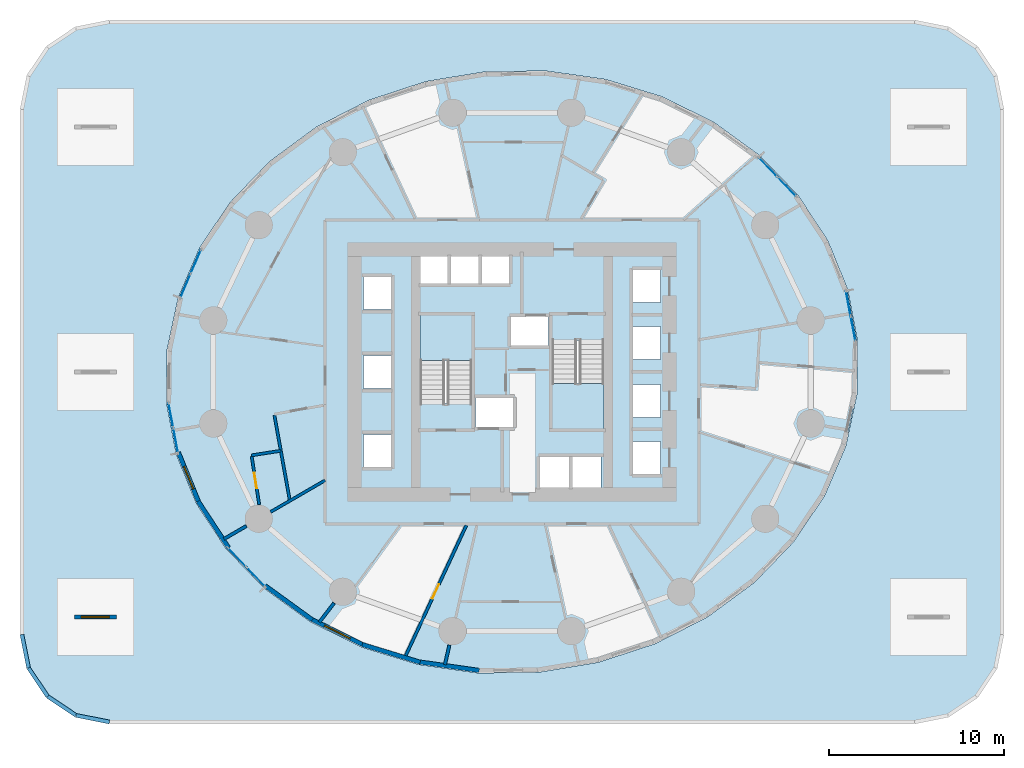
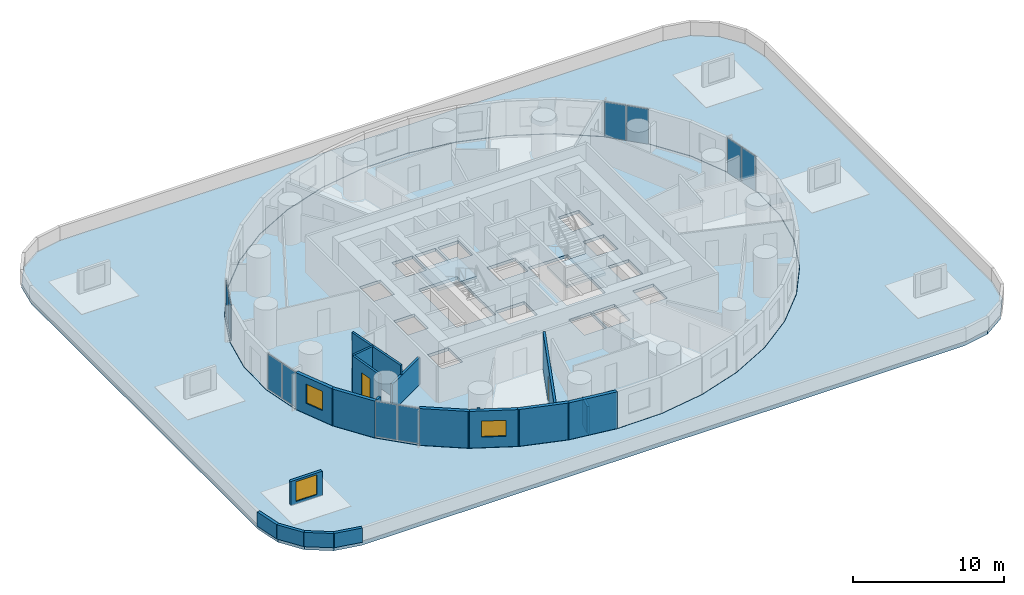
# One storey, part 5 of 12: 19 walls, 10 plates, 4 slabs, 3 windows, 2 doors, 5 openings, 7 elements without a shape of their own.
"""IFC4 building model written with IfcOpenShell, lengths in metres."""

from ifc_helpers import new_model, si_unit, direction, frame, frame_2d, origin, origin_2d, place, context, subcontext, project, spatial, polyline, rectangle, outline, extrude, material, layer, layer_set, type_object, element, fill, aggregate, save


model = new_model("IFC4")

# Units and contexts
model_context = context("Model", 3, precision=1e-05, world=origin(), true_north=direction((0.0, 1.0)))
body_context = subcontext(model_context, "Body", "Model", "MODEL_VIEW")
ifc_project = project(units=[si_unit("LENGTHUNIT", "METRE"), si_unit("AREAUNIT", "SQUARE_METRE"), si_unit("VOLUMEUNIT", "CUBIC_METRE"), si_unit("PLANEANGLEUNIT", "RADIAN"), si_unit("MASSUNIT", "GRAM", prefix="KILO")], contexts=[model_context])

# Site, building, storey
site_placement = place(None, origin())
site = spatial("IfcSite", under=ifc_project, at=site_placement, CompositionType="ELEMENT")
building_placement = place(site_placement, origin())
building = spatial("IfcBuilding", under=site, at=building_placement, Name="Veldorim Arch Residences", CompositionType="ELEMENT")
storey_placement = place(building_placement, frame((0.0, 0.0, 24.800048828125)))
storey = spatial("IfcBuildingStorey", under=building, at=storey_placement, Name="L06", CompositionType="ELEMENT", Elevation=24.800048828125)

# Slabs
ifc_material_1 = material(Name="Concrete C50/60", Category="concrete")
ifc_layer_1 = layer(ifc_material_1, 0.449951171875, Name="L05 Podium Transfer Deck Slab 450")
ifc_layer_set_1 = layer_set([ifc_layer_1], Name="Concrete C50/60")
slab_type_1 = type_object("IfcSlabType", Name="L05 Podium Transfer Deck Slab 450", PredefinedType="FLOOR", material=ifc_layer_set_1)
slab_1_placement = place(storey_placement, frame((0.0, 0.0, -0.239990234375)))
element("IfcSlab", 1, at=slab_1_placement, inside=storey, type_object=slab_type_1, Name="L06 tower structural floor slab", PredefinedType="FLOOR", context=body_context, shape_type="SweptSolid", body=[
    extrude(outline(polyline([(51.723388671875, 25.739501953125), (51.161376953125, 28.688232421875), (50.01708984375, 31.49462890625), (48.325439453125, 34.0732421875), (46.1376953125, 36.345703125), (43.5205078125, 38.2431640625), (40.552978515625, 39.707763671875), (37.325927734375, 40.695068359375), (33.93701171875, 41.17529296875), (30.489013671875, 41.133544921875), (27.0869140625, 40.571044921875), (23.834228515625, 39.50537109375), (20.82958984375, 37.96826171875), (18.16455078125, 36.0068359375), (15.919677734375, 33.6806640625), (14.16357421875, 31.060302734375), (12.94921875, 28.225341796875), (12.313720703125, 25.26220703125), (12.276611328125, 22.260498046875), (12.838623046875, 19.311767578125), (13.98291015625, 16.50537109375), (15.674560546875, 13.9267578125), (17.8623046875, 11.654296875), (20.4794921875, 9.7568359375), (23.447021484375, 8.292236328125), (26.674072265625, 7.304931640625), (30.06298828125, 6.82470703125), (33.510986328125, 6.866455078125), (36.9130859375, 7.428955078125), (40.165771484375, 8.49462890625), (43.17041015625, 10.03173828125), (45.83544921875, 11.9931640625), (48.080322265625, 14.3193359375), (49.83642578125, 16.939697265625), (51.05078125, 19.774658203125), (51.686279296875, 22.73779296875), (51.723388671875, 25.739501953125)]), holes=[polyline([(23.510009765625, 20.43994140625), (25.090087890625, 20.43994140625), (25.090087890625, 18.56005859375), (23.510009765625, 18.56005859375), (23.510009765625, 20.43994140625)]), polyline([(29.909912109375, 22.544921875), (32.090087890625, 22.544921875), (32.090087890625, 20.81494140625), (29.909912109375, 20.81494140625), (29.909912109375, 22.544921875)]), polyline([(23.510009765625, 24.93994140625), (25.090087890625, 24.93994140625), (25.090087890625, 23.06005859375), (23.510009765625, 23.06005859375), (23.510009765625, 24.93994140625)]), polyline([(26.75, 27.25), (29.7099609375, 27.25), (29.7099609375, 22.195068359375), (26.75, 22.195068359375), (26.75, 27.25)]), polyline([(23.510009765625, 29.43994140625), (25.090087890625, 29.43994140625), (25.090087890625, 27.56005859375), (23.510009765625, 27.56005859375), (23.510009765625, 29.43994140625)]), polyline([(26.760009765625, 30.7900390625), (28.340087890625, 30.7900390625), (28.340087890625, 28.909912109375), (26.760009765625, 28.909912109375), (26.760009765625, 30.7900390625)]), polyline([(28.510009765625, 30.7900390625), (30.090087890625, 30.7900390625), (30.090087890625, 28.909912109375), (28.510009765625, 28.909912109375), (28.510009765625, 30.7900390625)]), polyline([(30.260009765625, 30.7900390625), (31.840087890625, 30.7900390625), (31.840087890625, 28.909912109375), (30.260009765625, 28.909912109375), (30.260009765625, 30.7900390625)]), polyline([(33.610107421875, 19.2900390625), (35.2900390625, 19.2900390625), (35.2900390625, 17.2099609375), (33.610107421875, 17.2099609375), (33.610107421875, 19.2900390625)]), polyline([(35.409912109375, 19.2900390625), (37.090087890625, 19.2900390625), (37.090087890625, 17.2099609375), (35.409912109375, 17.2099609375), (35.409912109375, 19.2900390625)]), polyline([(38.909912109375, 20.0400390625), (40.489990234375, 20.0400390625), (40.489990234375, 18.159912109375), (38.909912109375, 18.159912109375), (38.909912109375, 20.0400390625)]), polyline([(38.909912109375, 23.2900390625), (40.489990234375, 23.2900390625), (40.489990234375, 21.409912109375), (38.909912109375, 21.409912109375), (38.909912109375, 23.2900390625)]), polyline([(34.2900390625, 25.804931640625), (37.25, 25.804931640625), (37.25, 20.75), (34.2900390625, 20.75), (34.2900390625, 25.804931640625)]), polyline([(38.909912109375, 26.590087890625), (40.489990234375, 26.590087890625), (40.489990234375, 24.7099609375), (38.909912109375, 24.7099609375), (38.909912109375, 26.590087890625)]), polyline([(31.909912109375, 27.18505859375), (34.090087890625, 27.18505859375), (34.090087890625, 25.455078125), (31.909912109375, 25.455078125), (31.909912109375, 27.18505859375)]), polyline([(38.909912109375, 29.840087890625), (40.489990234375, 29.840087890625), (40.489990234375, 27.9599609375), (38.909912109375, 27.9599609375), (38.909912109375, 29.840087890625)])]), origin(), (0.0, 0.0, 1.0), 0.239990234375),
])
ifc_material_2 = material(Name="Concrete C40/50", Category="concrete")
ifc_layer_2 = layer(ifc_material_2, 0.320068359375, Name="Podium & Drop-Off Canopy Roof Slab 320")
ifc_layer_set_2 = layer_set([ifc_layer_2], Name="Concrete C40/50")
slab_type_2 = type_object("IfcSlabType", Name="Podium & Drop-Off Canopy Roof Slab 320", PredefinedType="ROOF", material=ifc_layer_set_2)
slab_2_placement = place(storey_placement, frame((0.0, 0.0, -0.320068359375)))
element("IfcSlab", 2, at=slab_2_placement, inside=storey, type_object=slab_type_2, Name="L06 podium roof wellness terrace slab 1", PredefinedType="ROOF", context=body_context, shape_type="SweptSolid", body=[
    extrude(outline(polyline([(9.0, 4.0), (7.086669921875, 4.380615234375), (5.464599609375, 5.464599609375), (4.380615234375, 7.086669921875), (4.0, 9.0), (4.0, 39.0), (4.380615234375, 40.913330078125), (5.464599609375, 42.535400390625), (7.086669921875, 43.619384765625), (9.0, 44.0), (55.0, 44.0), (56.913330078125, 43.619384765625), (58.535400390625, 42.535400390625), (59.619384765625, 40.913330078125), (60.0, 39.0), (60.0, 9.0), (59.619384765625, 7.086669921875), (58.535400390625, 5.464599609375), (56.913330078125, 4.380615234375), (55.0, 4.0), (9.0, 4.0)]), holes=[polyline([(51.1806640625, 28.69384765625), (50.034912109375, 31.50390625), (48.34130859375, 34.085693359375), (46.15087890625, 36.36083984375), (43.531005859375, 38.26025390625), (40.560546875, 39.7265625), (37.330322265625, 40.714599609375), (33.938232421875, 41.1953125), (30.4873046875, 41.153564453125), (27.082275390625, 40.590576171875), (23.82666015625, 39.523681640625), (20.819091796875, 37.9853515625), (18.1513671875, 36.02197265625), (15.904052734375, 33.693359375), (14.145751953125, 31.06982421875), (12.93017578125, 28.2314453125), (12.293701171875, 25.264404296875), (12.256591796875, 22.2587890625), (12.8193359375, 19.30615234375), (13.965087890625, 16.49609375), (15.65869140625, 13.914306640625), (17.84912109375, 11.63916015625), (20.468994140625, 9.73974609375), (23.439453125, 8.2734375), (26.669677734375, 7.285400390625), (30.061767578125, 6.8046875), (33.5126953125, 6.846435546875), (36.917724609375, 7.409423828125), (40.17333984375, 8.476318359375), (43.180908203125, 10.0146484375), (45.8486328125, 11.97802734375), (48.095947265625, 14.306640625), (49.854248046875, 16.93017578125), (51.06982421875, 19.7685546875), (51.706298828125, 22.735595703125), (51.743408203125, 25.7412109375), (51.1806640625, 28.69384765625)])]), origin(), (0.0, 0.0, 1.0), 0.320068359375),
])

# Stair, slab
ifc_material_3 = material(Name="Concrete C40/50", Category="concrete")
stair_type = type_object("IfcStairType", Name="Reinforced Concrete Dogleg Exit Staircase", PredefinedType="HALF_TURN_STAIR", material=ifc_material_3)
stair_1_placement = place(storey_placement, origin())
stair_1 = element("IfcStair", 3, at=stair_1_placement, inside=storey, type_object=stair_type, Name="L06 Exit Staircase ST-1", PredefinedType="HALF_TURN_STAIR")
ifc_material_4 = material(Name="Concrete C40/50", Category="concrete")
ifc_layer_3 = layer(ifc_material_4, 0.199951171875, Name="Reinforced Concrete Stair Landing 200")
ifc_layer_set_3 = layer_set([ifc_layer_3], Name="Concrete C40/50")
slab_type_3 = type_object("IfcSlabType", Name="Reinforced Concrete Stair Landing 200", PredefinedType="LANDING", material=ifc_layer_set_3)
slab_3_placement = place(storey_placement, frame((0.0, 0.0, 1.39990234375)))
slab_3 = element("IfcSlab", 4, at=slab_3_placement, type_object=slab_type_3, Name="ST-1 landing 1", PredefinedType="LANDING", context=body_context, shape_type="SweptSolid", body=[
    extrude(outline(polyline([(29.7099609375, 24.669921875), (29.7099609375, 27.25), (26.75, 27.25), (26.75, 24.669921875), (29.7099609375, 24.669921875)])), origin(), (0.0, 0.0, 1.0), 0.199951171875),
])
aggregate(stair_1, [slab_3])

stair_2_placement = place(storey_placement, origin())
stair_2 = element("IfcStair", 5, at=stair_2_placement, inside=storey, type_object=stair_type, Name="L06 Exit Staircase ST-2", PredefinedType="HALF_TURN_STAIR")
slab_4_placement = place(storey_placement, frame((0.0, 0.0, 1.39990234375)))
slab_4 = element("IfcSlab", 6, at=slab_4_placement, type_object=slab_type_3, Name="ST-2 landing 1", PredefinedType="LANDING", context=body_context, shape_type="SweptSolid", body=[
    extrude(outline(polyline([(34.2900390625, 23.330078125), (34.2900390625, 20.75), (37.25, 20.75), (37.25, 23.330078125), (34.2900390625, 23.330078125)])), origin(), (0.0, 0.0, 1.0), 0.199951171875),
])
aggregate(stair_2, [slab_4])

# Curtain wall, plates
ifc_material_5 = material(Name="Aluminium", Category="aluminium")
curtain_wall_type = type_object("IfcCurtainWallType", Name="Zone 1 Acoustic Low-E Unitised Curtain Wall", PredefinedType="NOTDEFINED", material=ifc_material_5)
curtain_wall_1_placement = place(storey_placement, origin())
curtain_wall_1 = element("IfcCurtainWall", 7, at=curtain_wall_1_placement, inside=storey, type_object=curtain_wall_type, Name="L06 unitised curtain wall bay 01", PredefinedType="NOTDEFINED")
ifc_material_6 = material(Name="Laminated Low-E Glass", Category="glass")
ifc_layer_4 = layer(ifc_material_6, 0.02587890625, Name="Zone 1 Acoustic Low-E Unitised Curtain Wall Glazing Panel 26")
ifc_layer_set_4 = layer_set([ifc_layer_4], Name="Laminated Low-E Glass")
plate_type = type_object("IfcPlateType", Name="Zone 1 Acoustic Low-E Unitised Curtain Wall Glazing Panel 26", PredefinedType="CURTAIN_PANEL", material=ifc_layer_set_4)
plate_1_placement = place(storey_placement, frame((51.216552734375, 27.918212890625, 0.06494140625), z_axis=(0.0, 0.0, 1.0), x_axis=(0.187222325819, -0.982317566124, 0.0)))
plate_1 = element("IfcPlate", 8, at=plate_1_placement, type_object=plate_type, Name="CW-Z1 panel 1.1", PredefinedType="CURTAIN_PANEL", context=body_context, shape_type="SweptSolid", body=[
    extrude(rectangle(XDim=1.4033203125, YDim=0.02587890625, at=origin_2d()), origin(), (0.0, 0.0, 1.0), 2.830078125),
])
plate_2_placement = place(storey_placement, frame((51.491455078125, 26.475830078125, 0.06494140625), z_axis=(0.0, 0.0, 1.0), x_axis=(0.187222325819, -0.982317566124, 0.0)))
plate_2 = element("IfcPlate", 9, at=plate_2_placement, type_object=plate_type, Name="CW-Z1 panel 2.1", PredefinedType="CURTAIN_PANEL", context=body_context, shape_type="SweptSolid", body=[
    extrude(rectangle(XDim=1.4033203125, YDim=0.02587890625, at=origin_2d()), origin(), (0.0, 0.0, 1.0), 2.830078125),
])
aggregate(curtain_wall_1, [plate_1, plate_2])

curtain_wall_2_placement = place(storey_placement, origin())
curtain_wall_2 = element("IfcCurtainWall", 10, at=curtain_wall_2_placement, inside=storey, type_object=curtain_wall_type, Name="L06 unitised curtain wall bay 04", PredefinedType="NOTDEFINED")
plate_3_placement = place(storey_placement, frame((46.631103515625, 35.703369140625, 0.06494140625), z_axis=(0.0, 0.0, 1.0), x_axis=(0.693537504278, -0.720420523139, 0.0)))
plate_3 = element("IfcPlate", 11, at=plate_3_placement, type_object=plate_type, Name="CW-Z1 panel 1.1", PredefinedType="CURTAIN_PANEL", context=body_context, shape_type="SweptSolid", body=[
    extrude(rectangle(XDim=1.479736328125, YDim=0.02587890625, at=origin_2d()), origin(), (0.0, 0.0, 1.0), 2.830078125),
])
plate_4_placement = place(storey_placement, frame((47.702392578125, 34.590576171875, 0.06494140625), z_axis=(0.0, 0.0, 1.0), x_axis=(0.693537504278, -0.720420523139, 0.0)))
plate_4 = element("IfcPlate", 12, at=plate_4_placement, type_object=plate_type, Name="CW-Z1 panel 2.1", PredefinedType="CURTAIN_PANEL", context=body_context, shape_type="SweptSolid", body=[
    extrude(rectangle(XDim=1.479736328125, YDim=0.02587890625, at=origin_2d()), origin(), (0.0, 0.0, 1.0), 2.830078125),
])
aggregate(curtain_wall_2, [plate_3, plate_4])

curtain_wall_3_placement = place(storey_placement, origin())
curtain_wall_3 = element("IfcCurtainWall", 13, at=curtain_wall_3_placement, inside=storey, type_object=curtain_wall_type, Name="L06 unitised curtain wall bay 16", PredefinedType="NOTDEFINED")
plate_5_placement = place(storey_placement, frame((13.341796875, 28.91357421875, 0.06494140625), z_axis=(0.0, 0.0, 1.0), x_axis=(0.393739275232, 0.919222162015, 0.0)))
plate_5 = element("IfcPlate", 14, at=plate_5_placement, type_object=plate_type, Name="CW-Z1 panel 1.1", PredefinedType="CURTAIN_PANEL", context=body_context, shape_type="SweptSolid", body=[
    extrude(rectangle(XDim=1.444580078125, YDim=0.02587890625, at=origin_2d()), origin(), (0.0, 0.0, 1.0), 2.830078125),
])
plate_6_placement = place(storey_placement, frame((13.936279296875, 30.30126953125, 0.06494140625), z_axis=(0.0, 0.0, 1.0), x_axis=(0.393739275232, 0.919222162015, 0.0)))
plate_6 = element("IfcPlate", 15, at=plate_6_placement, type_object=plate_type, Name="CW-Z1 panel 2.1", PredefinedType="CURTAIN_PANEL", context=body_context, shape_type="SweptSolid", body=[
    extrude(rectangle(XDim=1.444580078125, YDim=0.02587890625, at=origin_2d()), origin(), (0.0, 0.0, 1.0), 2.830078125),
])
aggregate(curtain_wall_3, [plate_5, plate_6])

curtain_wall_4_placement = place(storey_placement, origin())
curtain_wall_4 = element("IfcCurtainWall", 16, at=curtain_wall_4_placement, inside=storey, type_object=curtain_wall_type, Name="L06 unitised curtain wall bay 19", PredefinedType="NOTDEFINED")
plate_7_placement = place(storey_placement, frame((12.783447265625, 20.081787109375, 0.06494140625), z_axis=(0.0, 0.0, 1.0), x_axis=(-0.187222325819, 0.982317566124, 0.0)))
plate_7 = element("IfcPlate", 17, at=plate_7_placement, type_object=plate_type, Name="CW-Z1 panel 1.1", PredefinedType="CURTAIN_PANEL", context=body_context, shape_type="SweptSolid", body=[
    extrude(rectangle(XDim=1.4033203125, YDim=0.02587890625, at=origin_2d()), origin(), (0.0, 0.0, 1.0), 2.830078125),
])
plate_8_placement = place(storey_placement, frame((12.508544921875, 21.524169921875, 0.06494140625), z_axis=(0.0, 0.0, 1.0), x_axis=(-0.187222325819, 0.982317566124, 0.0)))
plate_8 = element("IfcPlate", 18, at=plate_8_placement, type_object=plate_type, Name="CW-Z1 panel 2.1", PredefinedType="CURTAIN_PANEL", context=body_context, shape_type="SweptSolid", body=[
    extrude(rectangle(XDim=1.4033203125, YDim=0.02587890625, at=origin_2d()), origin(), (0.0, 0.0, 1.0), 2.830078125),
])
aggregate(curtain_wall_4, [plate_7, plate_8])

curtain_wall_5_placement = place(storey_placement, origin())
curtain_wall_5 = element("IfcCurtainWall", 19, at=curtain_wall_5_placement, inside=storey, type_object=curtain_wall_type, Name="L06 unitised curtain wall bay 22", PredefinedType="NOTDEFINED")
plate_9_placement = place(storey_placement, frame((17.368896484375, 12.296630859375, 0.06494140625), z_axis=(0.0, 0.0, 1.0), x_axis=(-0.693537504278, 0.720420523139, 0.0)))
plate_9 = element("IfcPlate", 20, at=plate_9_placement, type_object=plate_type, Name="CW-Z1 panel 1.1", PredefinedType="CURTAIN_PANEL", context=body_context, shape_type="SweptSolid", body=[
    extrude(rectangle(XDim=1.479736328125, YDim=0.02587890625, at=origin_2d()), origin(), (0.0, 0.0, 1.0), 2.830078125),
])
plate_10_placement = place(storey_placement, frame((16.297607421875, 13.409423828125, 0.06494140625), z_axis=(0.0, 0.0, 1.0), x_axis=(-0.693537504278, 0.720420523139, 0.0)))
plate_10 = element("IfcPlate", 21, at=plate_10_placement, type_object=plate_type, Name="CW-Z1 panel 2.1", PredefinedType="CURTAIN_PANEL", context=body_context, shape_type="SweptSolid", body=[
    extrude(rectangle(XDim=1.479736328125, YDim=0.02587890625, at=origin_2d()), origin(), (0.0, 0.0, 1.0), 2.830078125),
])
aggregate(curtain_wall_5, [plate_9, plate_10])

# Walls
ifc_material_7 = material(Name="Lightweight Masonry Block & Gypsum", Category="masonry")
ifc_layer_5 = layer(ifc_material_7, 0.179931640625, Name="Compartment & Corridor Fire-Rated Party Wall 180")
ifc_layer_set_5 = layer_set([ifc_layer_5], Name="Lightweight Masonry Block & Gypsum")
wall_type_1 = type_object("IfcWallType", Name="Compartment & Corridor Fire-Rated Party Wall 180", PredefinedType="PARTITIONING", material=ifc_layer_set_5)
wall_1_placement = place(storey_placement, frame((16.822998046875, 15.19970703125, 0.0), z_axis=(0.0, 0.0, 1.0), x_axis=(-0.865049792178, -0.501686014408, 0.0)))
element("IfcWall", 22, at=wall_1_placement, inside=storey, type_object=wall_type_1, Name="L06 interior wall WL-PIER-L06-10", PredefinedType="PARTITIONING", context=body_context, shape_type="SweptSolid", body=[
    extrude(rectangle(XDim=1.48095703125, YDim=0.179931640625, at=frame_2d((0.740478515625, 0.0))), origin(), (0.0, 0.0, 1.0), 2.17822265625),
])
wall_2_placement = place(storey_placement, frame((21.832763671875, 10.795166015625, 0.0), z_axis=(0.0, 0.0, 1.0), x_axis=(-0.609967804345, -0.792426196982, 0.0)))
element("IfcWall", 23, at=wall_2_placement, inside=storey, type_object=wall_type_1, Name="L06 interior wall WL-PIER-L06-11", PredefinedType="PARTITIONING", context=body_context, shape_type="SweptSolid", body=[
    extrude(rectangle(XDim=1.376953125, YDim=0.179931640625, at=frame_2d((0.6884765625, 0.0))), origin(), (0.0, 0.0, 1.0), 2.17822265625),
])
wall_3_placement = place(storey_placement, frame((28.422119140625, 8.390869140625, 0.0), z_axis=(0.0, 0.0, 1.0), x_axis=(-0.223317049761, -0.974745861897, 0.0)))
element("IfcWall", 24, at=wall_3_placement, inside=storey, type_object=wall_type_1, Name="L06 interior wall WL-PIER-L06-12", PredefinedType="PARTITIONING", context=body_context, shape_type="SweptSolid", body=[
    extrude(rectangle(XDim=1.14453125, YDim=0.179931640625, at=frame_2d((0.572265625, 0.0))), origin(), (0.0, 0.0, 1.0), 2.17822265625),
])
ifc_material_8 = material(Name="Precast concrete C40/50", Category="concrete")
ifc_layer_6 = layer(ifc_material_8, 0.219970703125, Name="Terrace & Refuge Perimeter Parapet Wall 220")
ifc_layer_set_6 = layer_set([ifc_layer_6], Name="Precast concrete C40/50")
wall_type_2 = type_object("IfcWallType", Name="Terrace & Refuge Perimeter Parapet Wall 220", PredefinedType="PARAPET", material=ifc_layer_set_6)
for number, where, z_axis, x_axis, name in (
    (25, (4.380615234375, 7.086669921875, 0.0), (0.0, 0.0, 1.0), (-0.19510522281, 0.980782316333, 0.0), "L06 podium roof garden perimeter parapet 15"),
    (26, (5.464599609375, 5.464599609375, 0.0), (0.0, 0.0, 1.0), (-0.555623968812, 0.831433704682, 0.0), "L06 podium roof garden perimeter parapet 16"),
    (27, (7.086669921875, 4.380615234375, 0.0), (0.0, 0.0, 1.0), (-0.831433704682, 0.555623968812, 0.0), "L06 podium roof garden perimeter parapet 17"),
    (28, (9.0, 4.0, 0.0), (0.0, 0.0, 1.0), (-0.980782316333, 0.19510522281, 0.0), "L06 podium roof garden perimeter parapet 18"),
):
    element("IfcWall", number, at=place(storey_placement, frame(where, z_axis=z_axis, x_axis=x_axis)), inside=storey, type_object=wall_type_2, Name=name, PredefinedType="PARAPET", context=body_context, shape_type="SweptSolid", body=[
        extrude(rectangle(XDim=1.950927734375, YDim=0.219970703125, at=frame_2d((0.9755859375, 0.0))), origin(), (0.0, 0.0, 1.0), 1.14990234375),
    ])

# Wall, opening, window
wall_4_placement = place(storey_placement, frame((7.0, 10.0, 0.0), z_axis=(0.0, 0.0, 1.0), x_axis=(1.0, 0.0, 0.0)))
wall_4 = element("IfcWall", 29, at=wall_4_placement, inside=storey, type_object=wall_type_2, Name="L06 clinic atrium skylight monitor wall 01", PredefinedType="PARAPET", context=body_context, shape_type="SweptSolid", body=[
    extrude(rectangle(XDim=2.39990234375, YDim=0.219970703125, at=frame_2d((1.199951171875, 0.0))), origin(), (0.0, 0.0, 1.0), 1.949951171875),
])
opening_1_placement = place(wall_4_placement, frame((0.39990234375, 0.0, 0.199951171875)))
opening_1 = element("IfcOpeningElement", 30, at=opening_1_placement, cuts=wall_4, Name="Opening SK-01", PredefinedType="OPENING", context=body_context, shape_type="SweptSolid", body=[
    extrude(rectangle(XDim=1.60009765625, YDim=1.60009765625, at=frame_2d((0.800048828125, 0.800048828125))), frame((0.0, 0.119873046875, 0.0), z_axis=(0.0, -1.0, 0.0), x_axis=(1.0, 0.0, 0.0)), (0.0, 0.0, 1.0), 0.239990234375),
])
ifc_material_9 = material(Name="Laminated Low-E Glass", Category="glass")
window_type_1 = type_object("IfcWindowType", Name="Podium Roof Framed Skylight 1600x1600", PartitioningType="SINGLE_PANEL", PredefinedType="SKYLIGHT", material=ifc_material_9)
window_1_placement = place(opening_1_placement, origin())
window_1 = element("IfcWindow", 31, at=window_1_placement, inside=storey, type_object=window_type_1, Name="L06 polyclinic roof skylight 01", OverallHeight=1.60009765625, OverallWidth=1.60009765625, PartitioningType="SINGLE_PANEL", PredefinedType="SKYLIGHT", context=body_context, shape_type="SweptSolid", body=[
    extrude(rectangle(XDim=1.60009765625, YDim=1.60009765625, at=frame_2d((0.800048828125, 0.800048828125))), frame((0.0, 0.030029296875, 0.0), z_axis=(0.0, -1.0, 0.0), x_axis=(1.0, 0.0, 0.0)), (0.0, 0.0, 1.0), 0.06005859375),
])
fill(opening_1, window_1)

ifc_material_10 = material(Name="Precast concrete C40/50", Category="concrete")
ifc_layer_7 = layer(ifc_material_10, 0.25, Name="Tower Terracotta Spandrel & Pier Wall 250")
ifc_layer_set_7 = layer_set([ifc_layer_7], Name="Precast concrete C40/50")
wall_type_3 = type_object("IfcWallType", Name="Tower Terracotta Spandrel & Pier Wall 250", PredefinedType="SOLIDWALL", material=ifc_layer_set_7)
wall_5_placement = place(storey_placement, frame((14.115478515625, 16.510986328125, 0.0), z_axis=(0.0, 0.0, 1.0), x_axis=(-0.377493207518, 0.926012353199, 0.0)))
wall_5 = element("IfcWall", 32, at=wall_5_placement, inside=storey, type_object=wall_type_3, Name="L06 terracotta facade wall 20", PredefinedType="SOLIDWALL", context=body_context, shape_type="SweptSolid", body=[
    extrude(rectangle(XDim=3.12060546875, YDim=0.25, at=frame_2d((1.560302734375, 0.0))), origin(), (0.0, 0.0, 1.0), 2.9599609375),
])
opening_2_placement = place(wall_5_placement, frame((0.860107421875, 0.0, 0.85009765625)))
opening_2 = element("IfcOpeningElement", 33, at=opening_2_placement, cuts=wall_5, Name="Opening WN-02", PredefinedType="OPENING", context=body_context, shape_type="SweptSolid", body=[
    extrude(rectangle(XDim=1.39990234375, YDim=1.550048828125, at=frame_2d((0.699951171875, 0.77490234375))), frame((0.0, 0.135009765625, 0.0), z_axis=(0.0, -1.0, 0.0), x_axis=(1.0, 0.0, 0.0)), (0.0, 0.0, 1.0), 0.27001953125),
])
ifc_material_11 = material(Name="Laminated Low-E Glass", Category="glass")
window_type_2 = type_object("IfcWindowType", Name="Residential Casement Window 1400x1550", PartitioningType="SINGLE_PANEL", PredefinedType="WINDOW", material=ifc_material_11)
window_2_placement = place(opening_2_placement, origin())
window_2 = element("IfcWindow", 34, at=window_2_placement, inside=storey, type_object=window_type_2, Name="L06 solar-control facade window 20", OverallHeight=1.550048828125, OverallWidth=1.39990234375, PartitioningType="SINGLE_PANEL", PredefinedType="WINDOW", context=body_context, shape_type="SweptSolid", body=[
    extrude(rectangle(XDim=1.39990234375, YDim=1.550048828125, at=frame_2d((0.699951171875, 0.77490234375))), frame((0.0, 0.030029296875, 0.0), z_axis=(0.0, -1.0, 0.0), x_axis=(1.0, 0.0, 0.0)), (0.0, 0.0, 1.0), 0.06005859375),
])
fill(opening_2, window_2)

# Walls
wall_6_placement = place(storey_placement, frame((15.8037109375, 13.957763671875, 0.0), z_axis=(0.0, 0.0, 1.0), x_axis=(-0.548579153619, 0.836098625889, 0.0)))
element("IfcWall", 35, at=wall_6_placement, inside=storey, type_object=wall_type_3, Name="L06 terracotta facade wall 21", PredefinedType="SOLIDWALL", context=body_context, shape_type="SweptSolid", body=[
    extrude(rectangle(XDim=3.174072265625, YDim=0.25, at=frame_2d((1.5869140625, 0.0))), origin(), (0.0, 0.0, 1.0), 2.9599609375),
])
wall_7_placement = place(storey_placement, frame((20.58935546875, 9.831787109375, 0.0), z_axis=(0.0, 0.0, 1.0), x_axis=(-0.809637503316, 0.58693024562, 0.0)))
element("IfcWall", 36, at=wall_7_placement, inside=storey, type_object=wall_type_3, Name="L06 terracotta facade wall 23", PredefinedType="SOLIDWALL", context=body_context, shape_type="SweptSolid", body=[
    extrude(rectangle(XDim=3.32275390625, YDim=0.25, at=frame_2d((1.661376953125, 0.0))), origin(), (0.0, 0.0, 1.0), 2.9599609375),
])

# Wall, opening, window
wall_8_placement = place(storey_placement, frame((23.54248046875, 8.384521484375, 0.0), z_axis=(0.0, 0.0, 1.0), x_axis=(-0.896727977212, 0.442582122193, 0.0)))
wall_8 = element("IfcWall", 37, at=wall_8_placement, inside=storey, type_object=wall_type_3, Name="L06 terracotta facade wall 24", PredefinedType="SOLIDWALL", context=body_context, shape_type="SweptSolid", body=[
    extrude(rectangle(XDim=3.399169921875, YDim=0.25, at=frame_2d((1.69970703125, 0.0))), origin(), (0.0, 0.0, 1.0), 2.9599609375),
])
opening_3_placement = place(wall_8_placement, frame((0.875, 0.0, 0.85009765625)))
opening_3 = element("IfcOpeningElement", 38, at=opening_3_placement, cuts=wall_8, Name="Opening WN-03", PredefinedType="OPENING", context=body_context, shape_type="SweptSolid", body=[
    extrude(rectangle(XDim=1.64990234375, YDim=1.2900390625, at=frame_2d((0.824951171875, 0.64501953125))), frame((0.0, 0.135009765625, 0.0), z_axis=(0.0, -1.0, 0.0), x_axis=(1.0, 0.0, 0.0)), (0.0, 0.0, 1.0), 0.27001953125),
])
ifc_material_12 = material(Name="Laminated Low-E Glass", Category="glass")
window_type_3 = type_object("IfcWindowType", Name="Residential Wide Window 1650x1550", PartitioningType="SINGLE_PANEL", PredefinedType="WINDOW", material=ifc_material_12)
window_3_placement = place(opening_3_placement, origin())
window_3 = element("IfcWindow", 39, at=window_3_placement, inside=storey, type_object=window_type_3, Name="L06 solar-control facade window 24", OverallHeight=1.2900390625, OverallWidth=1.64990234375, PartitioningType="SINGLE_PANEL", PredefinedType="WINDOW", context=body_context, shape_type="SweptSolid", body=[
    extrude(rectangle(XDim=1.64990234375, YDim=1.2900390625, at=frame_2d((0.824951171875, 0.64501953125))), frame((0.0, 0.030029296875, 0.0), z_axis=(0.0, -1.0, 0.0), x_axis=(1.0, 0.0, 0.0)), (0.0, 0.0, 1.0), 0.06005859375),
])
fill(opening_3, window_3)

# Walls
wall_9_placement = place(storey_placement, frame((26.753662109375, 7.411376953125, 0.0), z_axis=(0.0, 0.0, 1.0), x_axis=(-0.956266745267, 0.292496003213, 0.0)))
element("IfcWall", 40, at=wall_9_placement, inside=storey, type_object=wall_type_3, Name="L06 terracotta facade wall 25", PredefinedType="SOLIDWALL", context=body_context, shape_type="SweptSolid", body=[
    extrude(rectangle(XDim=3.46484375, YDim=0.25, at=frame_2d((1.732421875, 0.0))), origin(), (0.0, 0.0, 1.0), 2.9599609375),
])
wall_10_placement = place(storey_placement, frame((30.125244140625, 6.942138671875, 0.0), z_axis=(0.0, 0.0, 1.0), x_axis=(-0.990105954495, 0.140321769067, 0.0)))
element("IfcWall", 41, at=wall_10_placement, inside=storey, type_object=wall_type_3, Name="L06 terracotta facade wall 26", PredefinedType="SOLIDWALL", context=body_context, shape_type="SweptSolid", body=[
    extrude(rectangle(XDim=3.5126953125, YDim=0.25, at=frame_2d((1.75634765625, 0.0))), origin(), (0.0, 0.0, 1.0), 2.9599609375),
])

# Wall, opening, door
ifc_material_13 = material(Name="Moisture-Resistant Gypsum & Stud", Category="gypsum")
ifc_layer_8 = layer(ifc_material_13, 0.159912109375, Name="Wet-Area Moisture-Resistant Plumbing Wall 160")
ifc_layer_set_8 = layer_set([ifc_layer_8], Name="Moisture-Resistant Gypsum & Stud")
wall_type_4 = type_object("IfcWallType", Name="Wet-Area Moisture-Resistant Plumbing Wall 160", PredefinedType="PLUMBINGWALL", material=ifc_layer_set_8)
wall_11_placement = place(storey_placement, frame((29.389892578125, 15.229248046875, 0.0), z_axis=(0.0, 0.0, 1.0), x_axis=(-0.421930101453, -0.906628363492, 0.0)))
wall_11 = element("IfcWall", 42, at=wall_11_placement, inside=storey, type_object=wall_type_4, Name="L06 interior wall WL-RES-L06-008", PredefinedType="PLUMBINGWALL", context=body_context, shape_type="SweptSolid", body=[
    extrude(rectangle(XDim=8.31201171875, YDim=0.159912109375, at=frame_2d((4.156005859375, 0.0))), origin(), (0.0, 0.0, 1.0), 2.954833984375),
])
opening_4_placement = place(wall_11_placement, frame((3.7060546875, 0.0, 0.0)))
opening_4 = element("IfcOpeningElement", 43, at=opening_4_placement, cuts=wall_11, Name="Opening DR-WC", PredefinedType="OPENING", context=body_context, shape_type="SweptSolid", body=[
    extrude(rectangle(XDim=0.89990234375, YDim=2.10009765625, at=frame_2d((0.449951171875, 1.050048828125))), frame((0.0, 0.08984375, 0.0), z_axis=(0.0, -1.0, 0.0), x_axis=(1.0, 0.0, 0.0)), (0.0, 0.0, 1.0), 0.179931640625),
])
ifc_material_14 = material(Name="Laminate Timber", Category="wood")
door_type = type_object("IfcDoorType", Name="Bathroom & Accessible WC Moisture-Sealed Door 900x2100", OperationType="SINGLE_SWING_LEFT", PredefinedType="DOOR", material=ifc_material_14)
door_1_placement = place(opening_4_placement, origin())
door_1 = element("IfcDoor", 44, at=door_1_placement, inside=storey, type_object=door_type, Name="L06 interior door DR-RES-L06-002", OperationType="SINGLE_SWING_RIGHT", OverallHeight=2.10009765625, OverallWidth=0.89990234375, PredefinedType="DOOR", context=body_context, shape_type="SweptSolid", body=[
    extrude(rectangle(XDim=0.89990234375, YDim=2.10009765625, at=frame_2d((0.449951171875, 1.050048828125))), frame((0.0, 0.02490234375, 0.0), z_axis=(0.0, -1.0, 0.0), x_axis=(1.0, 0.0, 0.0)), (0.0, 0.0, 1.0), 0.050048828125),
])
fill(opening_4, door_1)

# Walls
wall_12_placement = place(storey_placement, frame((18.20166015625, 15.9990234375, 0.0), z_axis=(0.0, 0.0, 1.0), x_axis=(0.865099964078, 0.501599493773, 0.0)))
element("IfcWall", 45, at=wall_12_placement, inside=storey, type_object=wall_type_4, Name="L06 interior wall WL-RES-L06-011", PredefinedType="PLUMBINGWALL", context=body_context, shape_type="SweptSolid", body=[
    extrude(rectangle(XDim=3.604736328125, YDim=0.159912109375, at=frame_2d((1.80224609375, 0.0))), origin(), (0.0, 0.0, 1.0), 2.17822265625),
])
wall_13_placement = place(storey_placement, frame((18.79248046875, 19.497802734375, 0.0), z_axis=(0.0, 0.0, 1.0), x_axis=(-0.988061441457, -0.154060338524, 0.0)))
element("IfcWall", 46, at=wall_13_placement, inside=storey, type_object=wall_type_4, Name="L06 interior wall WL-RES-L06-032", PredefinedType="PLUMBINGWALL", context=body_context, shape_type="SweptSolid", body=[
    extrude(rectangle(XDim=1.694091796875, YDim=0.159912109375, at=frame_2d((0.84716796875, 0.0))), origin(), (0.0, 0.0, 1.0), 2.954833984375),
])

# Wall, opening, door
wall_14_placement = place(storey_placement, frame((17.127685546875, 19.177490234375, 0.0), z_axis=(0.0, 0.0, 1.0), x_axis=(0.154135750111, -0.988049680197, 0.0)))
wall_14 = element("IfcWall", 47, at=wall_14_placement, inside=storey, type_object=wall_type_4, Name="L06 interior wall WL-RES-L06-033", PredefinedType="PLUMBINGWALL", context=body_context, shape_type="SweptSolid", body=[
    extrude(rectangle(XDim=2.77978515625, YDim=0.159912109375, at=frame_2d((1.389892578125, 0.0))), origin(), (0.0, 0.0, 1.0), 2.954833984375),
])
opening_5_placement = place(wall_14_placement, frame((0.939697265625, 0.0, 0.0)))
opening_5 = element("IfcOpeningElement", 48, at=opening_5_placement, cuts=wall_14, Name="Opening DR-WC", PredefinedType="OPENING", context=body_context, shape_type="SweptSolid", body=[
    extrude(rectangle(XDim=0.89990234375, YDim=2.10009765625, at=frame_2d((0.449951171875, 1.050048828125))), frame((0.0, 0.08984375, 0.0), z_axis=(0.0, -1.0, 0.0), x_axis=(1.0, 0.0, 0.0)), (0.0, 0.0, 1.0), 0.179931640625),
])
door_2_placement = place(opening_5_placement, origin())
door_2 = element("IfcDoor", 49, at=door_2_placement, inside=storey, type_object=door_type, Name="L06 interior door DR-RES-L06-023", OperationType="SINGLE_SWING_LEFT", OverallHeight=2.10009765625, OverallWidth=0.89990234375, PredefinedType="DOOR", context=body_context, shape_type="SweptSolid", body=[
    extrude(rectangle(XDim=0.89990234375, YDim=2.10009765625, at=frame_2d((0.449951171875, 1.050048828125))), frame((0.0, 0.02490234375, 0.0), z_axis=(0.0, -1.0, 0.0), x_axis=(1.0, 0.0, 0.0)), (0.0, 0.0, 1.0), 0.050048828125),
])
fill(opening_5, door_2)

# Wall
wall_15_placement = place(storey_placement, frame((18.426025390625, 21.527099609375, 0.0), z_axis=(0.0, 0.0, 1.0), x_axis=(0.177634916986, -0.98409645679, 0.0)))
element("IfcWall", 50, at=wall_15_placement, inside=storey, type_object=wall_type_4, Name="L06 interior wall WL-RES-L06-036", PredefinedType="PLUMBINGWALL", context=body_context, shape_type="SweptSolid", body=[
    extrude(rectangle(XDim=4.965576171875, YDim=0.159912109375, at=frame_2d((2.48291015625, 0.0))), origin(), (0.0, 0.0, 1.0), 2.954833984375),
])

save(model, "model.ifc")
